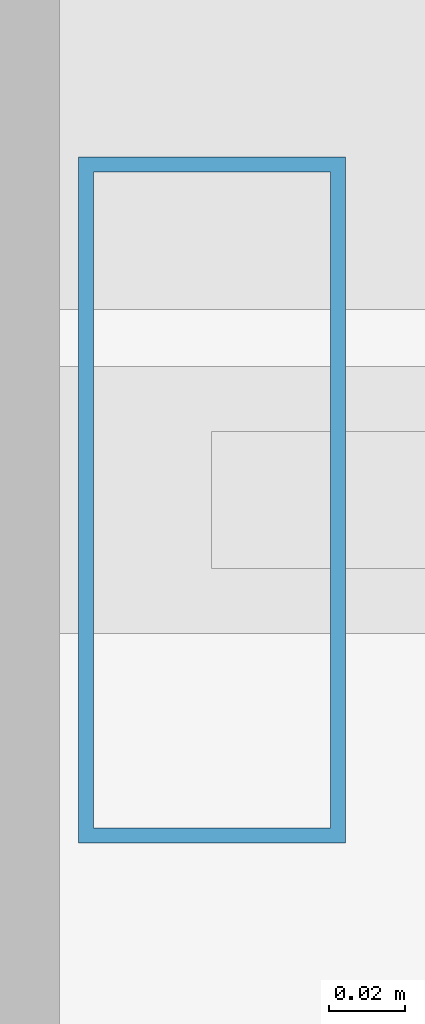
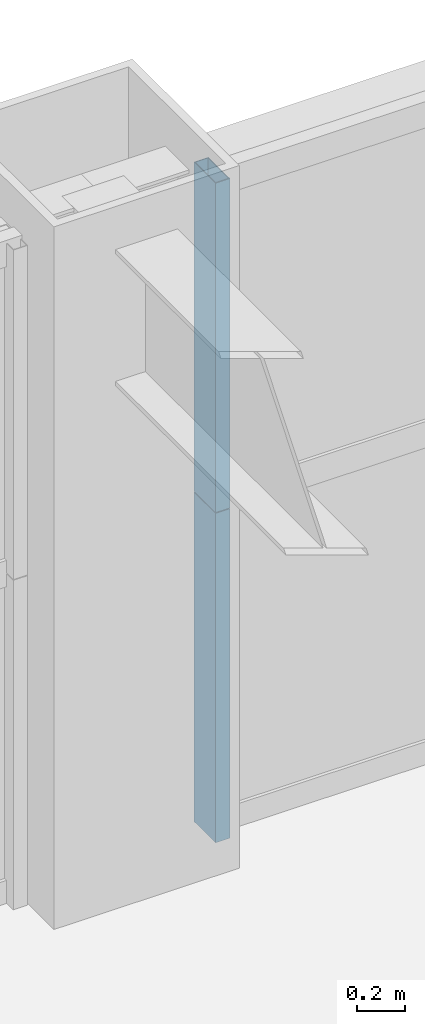
# One storey, part 30 of 43: 2 members, 1 element without a shape of its own.
"""IFC4 building model written with IfcOpenShell, lengths in metres."""

import ifcopenshell
import ifcopenshell.guid

model = None  # the IFC model being written
_history = None  # IfcOwnerHistory: only IFC2X3 demands one
_inside = {}  # id of a spatial element -> (the spatial element, [elements in it])
_under = {}  # id of a project, library or spatial element -> (it, [spatial elements below it])
_declared = {}  # id of a project -> (the project, [libraries it declares])
_typed = {}  # id of a type object -> (the type object, [elements of that type])
_made_of = {}  # id of a material, layer set ... -> (it, [elements and type objects made of it])


def new_model(schema):
    """Start an empty IFC model of exactly this schema.

    Asked for "IFC4X3", IfcOpenShell would pick the latest addendum, in which some entities
    have other attributes; the version numbers below select the first issue.
    IFC2X3 requires an IfcOwnerHistory on every rooted entity: one is made here for all.
    """
    global model, _history
    if schema == "IFC4X3":
        model = ifcopenshell.file(schema_version=(4, 3, 0, 0))
    else:
        model = ifcopenshell.file(schema=schema)
    _inside.clear()
    _under.clear()
    _declared.clear()
    _typed.clear()
    _made_of.clear()
    _history = None
    if model.schema == "IFC2X3":
        org = make("IfcOrganization", Name="unknown")
        user = make(
            "IfcPersonAndOrganization",
            ThePerson=make("IfcPerson", FamilyName="unknown"),
            TheOrganization=org,
        )
        app = make(
            "IfcApplication",
            ApplicationDeveloper=org,
            Version="unknown",
            ApplicationFullName="unknown",
            ApplicationIdentifier="unknown",
        )
        _history = make(
            "IfcOwnerHistory",
            OwningUser=user,
            OwningApplication=app,
            ChangeAction="ADDED",
            CreationDate=0,
        )
    return model


def make(cls, **values):
    """One entity of the class cls with the attributes given. An attribute that is None is left unset."""
    return model.create_entity(
        cls, **{name: value for name, value in values.items() if value is not None}
    )


def rooted(cls, **values):
    """An entity with a GlobalId (a new one), such as an element, a storey or a relation."""
    return make(cls, GlobalId=ifcopenshell.guid.new(), OwnerHistory=_history, **values)


def si_unit(unit_type, name, prefix=None):
    """IfcSIUnit, for example si_unit("LENGTHUNIT", "METRE", prefix="MILLI")."""
    return make("IfcSIUnit", UnitType=unit_type, Prefix=prefix, Name=name)


def assignment(units):
    """IfcUnitAssignment: the units of a project."""
    return None if units is None else make("IfcUnitAssignment", Units=units)


def point(xyz):
    """IfcCartesianPoint."""
    return None if xyz is None else make("IfcCartesianPoint", Coordinates=xyz)


def direction(xyz):
    """IfcDirection."""
    return None if xyz is None else make("IfcDirection", DirectionRatios=xyz)


def frame(location, z_axis=None, x_axis=None):
    """IfcAxis2Placement3D, a coordinate frame: its origin and axes. An axis left out is left unset."""
    return make(
        "IfcAxis2Placement3D",
        Location=point(location),
        Axis=direction(z_axis),
        RefDirection=direction(x_axis),
    )


def frame_2d(location, x_axis=None):
    """IfcAxis2Placement2D, a coordinate frame in the plane: its origin and x axis."""
    return make(
        "IfcAxis2Placement2D", Location=point(location), RefDirection=direction(x_axis)
    )


def origin():
    """The frame at (0, 0, 0) with its axes left unset."""
    return frame((0.0, 0.0, 0.0))


def origin_2d():
    """The frame at (0, 0) in the plane with its x axis left unset."""
    return frame_2d((0.0, 0.0))


def place(relative_to, where):
    """IfcLocalPlacement: puts the frame where relative to a parent placement (None: the world)."""
    return make(
        "IfcLocalPlacement", PlacementRelTo=relative_to, RelativePlacement=where
    )


def context(
    kind, dimensions, precision=None, world=None, true_north=None, identifier=None
):
    """IfcGeometricRepresentationContext, for example the 3D "Model" context."""
    return make(
        "IfcGeometricRepresentationContext",
        ContextIdentifier=identifier,
        ContextType=kind,
        CoordinateSpaceDimension=dimensions,
        Precision=precision,
        WorldCoordinateSystem=world,
        TrueNorth=true_north,
    )


def subcontext(parent, identifier, kind, view, scale=None):
    """IfcGeometricRepresentationSubContext, for example "Body" below "Model"."""
    return make(
        "IfcGeometricRepresentationSubContext",
        ContextIdentifier=identifier,
        ContextType=kind,
        ParentContext=parent,
        TargetScale=scale,
        TargetView=view,
    )


def project(units=None, contexts=None):
    """IfcProject with its units and contexts."""
    return rooted(
        "IfcProject",
        Name="project",
        RepresentationContexts=contexts,
        UnitsInContext=assignment(units),
    )


def spatial(cls, under=None, at=None, **own):
    """A site, building, storey or space (cls), placed at a placement, below another one or the project."""
    s = rooted(cls, ObjectPlacement=at, **own)
    if under is not None:
        _under.setdefault(under.id(), (under, []))[1].append(s)
    return s


def profile(cls, at=None, kind="AREA", **sizes):
    """A parametric profile (cls). Its sizes go by their IFC names, for example OverallWidth=200.0."""
    return make(cls, ProfileType=kind, Position=at, **sizes)


def hollow_rectangle(**sizes):
    """IfcRectangleHollowProfileDef."""
    return profile("IfcRectangleHollowProfileDef", **sizes)


def extrude(swept, where, along, depth):
    """IfcExtrudedAreaSolid: the profile swept, set in the frame where, extruded along a direction by depth."""
    return make(
        "IfcExtrudedAreaSolid",
        SweptArea=swept,
        Position=where,
        ExtrudedDirection=direction(along),
        Depth=depth,
    )


def shape(context_of_items, identifier, shape_type, items):
    """IfcShapeRepresentation: the items that make up one representation, for example the "Body"."""
    return make(
        "IfcShapeRepresentation",
        ContextOfItems=context_of_items,
        RepresentationIdentifier=identifier,
        RepresentationType=shape_type,
        Items=items,
    )


def source(mapping_origin, context_of_items, identifier, shape_type, items):
    """IfcRepresentationMap: a shape defined once, which mapped items show again and again."""
    return make(
        "IfcRepresentationMap",
        MappingOrigin=mapping_origin,
        MappedRepresentation=shape(context_of_items, identifier, shape_type, items),
    )


def transform(
    local_origin,
    x_axis=None,
    y_axis=None,
    z_axis=None,
    scale=None,
    scale2=None,
    scale3=None,
    uniform=True,
):
    """IfcCartesianTransformationOperator3D, or its non-uniform kind. x_axis, y_axis, z_axis: its Axis1, 2, 3."""
    if uniform:
        return make(
            "IfcCartesianTransformationOperator3D",
            Axis1=direction(x_axis),
            Axis2=direction(y_axis),
            LocalOrigin=point(local_origin),
            Scale=scale,
            Axis3=direction(z_axis),
        )
    return make(
        "IfcCartesianTransformationOperator3DnonUniform",
        Axis1=direction(x_axis),
        Axis2=direction(y_axis),
        LocalOrigin=point(local_origin),
        Scale=scale,
        Axis3=direction(z_axis),
        Scale2=scale2,
        Scale3=scale3,
    )


def mapped(mapping_source, mapping_target):
    """IfcMappedItem: shows the shape of a source again, moved by a transform."""
    return make(
        "IfcMappedItem", MappingSource=mapping_source, MappingTarget=mapping_target
    )


def material(Name=None, Category=None):
    """IfcMaterial."""
    return make("IfcMaterial", Name=Name, Category=Category)


def layer(
    of_material, thickness, ventilated=None, Name=None, Category=None, Priority=None
):
    """IfcMaterialLayer: one layer of a wall or slab, of a material (None: an air gap)."""
    return make(
        "IfcMaterialLayer",
        Material=of_material,
        LayerThickness=thickness,
        IsVentilated=ventilated,
        Name=Name,
        Category=Category,
        Priority=Priority,
    )


def layer_set(layers, Name=None):
    """IfcMaterialLayerSet."""
    return make("IfcMaterialLayerSet", MaterialLayers=layers, LayerSetName=Name)


def material_profile(
    of_material, cross_section, Name=None, Category=None, Priority=None
):
    """IfcMaterialProfile: a cross section and its material."""
    return make(
        "IfcMaterialProfile",
        Name=Name,
        Material=of_material,
        Profile=cross_section,
        Priority=Priority,
        Category=Category,
    )


def profile_set(profiles, Name=None, composite=None):
    """IfcMaterialProfileSet."""
    return make(
        "IfcMaterialProfileSet",
        Name=Name,
        MaterialProfiles=profiles,
        CompositeProfile=composite,
    )


def made_of(thing, what):
    """Note that an element or type object is made of a material, layer set ...; save() writes the relation."""
    if what is not None:
        _made_of.setdefault(what.id(), (what, []))[1].append(thing)
    return thing


def type_object(cls, material=None, **own):
    """A type object (cls), such as IfcWallType, which elements share."""
    return made_of(rooted(cls, **own), material)


def element(
    cls,
    number,
    at=None,
    inside=None,
    cuts=None,
    type_object=None,
    material=None,
    context=None,
    identifier="Body",
    shape_type=None,
    held_by="IfcProductDefinitionShape",
    body=None,
    shapes=None,
    **own,
):
    """One element of the class cls, such as IfcWall. Its Tag is "e" and its number.

    at: its placement. inside: the storey or other place that contains it. cuts: it is an
    opening in that element (IfcRelVoidsElement). A single representation is given by context,
    identifier, shape_type and body (its items); several are given by shapes. held_by: the class
    of the entity that holds the representations. save() writes the other relations.
    """
    e = rooted(cls, Tag="e%d" % number, ObjectPlacement=at, **own)
    if body is not None:
        shapes = [shape(context, identifier, shape_type, body)]
    if shapes is not None:
        e.Representation = make(held_by, Representations=shapes)
    if inside is not None:
        _inside.setdefault(inside.id(), (inside, []))[1].append(e)
    if cuts is not None:
        rooted(
            "IfcRelVoidsElement", RelatingBuildingElement=cuts, RelatedOpeningElement=e
        )
    if type_object is not None:
        _typed.setdefault(type_object.id(), (type_object, []))[1].append(e)
    return made_of(e, material)


def aggregate(whole, parts):
    """IfcRelAggregates: a whole, such as a stair, and the parts it consists of."""
    return rooted("IfcRelAggregates", RelatingObject=whole, RelatedObjects=parts)


def save(model, path):
    """Write the relations noted so far, then the file.

    IfcRelAggregates (storeys below a building ...), IfcRelContainedInSpatialStructure (elements
    in a storey), IfcRelDefinesByType, IfcRelAssociatesMaterial and IfcRelDeclares: one each for
    every whole, place, type object, material and project.
    """
    for whole, parts in _under.values():
        aggregate(whole, parts)
    for where, things in _inside.values():
        rooted(
            "IfcRelContainedInSpatialStructure",
            RelatedElements=things,
            RelatingStructure=where,
        )
    for kind, things in _typed.values():
        rooted("IfcRelDefinesByType", RelatedObjects=things, RelatingType=kind)
    for what, things in _made_of.values():
        rooted("IfcRelAssociatesMaterial", RelatedObjects=things, RelatingMaterial=what)
    for by, libraries in _declared.values():
        rooted("IfcRelDeclares", RelatingContext=by, RelatedDefinitions=libraries)
    model.write(path)


model = new_model("IFC4")

# Units and contexts
model_context = context("Model", 3, precision=1e-05, world=origin(), true_north=direction((0.0, 1.0)))
body_context = subcontext(model_context, "Body", "Model", "MODEL_VIEW")
ifc_project = project(units=[si_unit("LENGTHUNIT", "METRE"), si_unit("AREAUNIT", "SQUARE_METRE"), si_unit("VOLUMEUNIT", "CUBIC_METRE"), si_unit("PLANEANGLEUNIT", "RADIAN"), si_unit("MASSUNIT", "GRAM", prefix="KILO"), si_unit("THERMODYNAMICTEMPERATUREUNIT", "KELVIN"), si_unit("POWERUNIT", "WATT")], contexts=[model_context])

# Site, building, storey
site_placement = place(None, origin())
site = spatial("IfcSite", under=ifc_project, at=site_placement, CompositionType="ELEMENT")
building_placement = place(site_placement, origin())
building = spatial("IfcBuilding", under=site, at=building_placement, Name="Yuzanri Waterfront Tower", CompositionType="ELEMENT")
storey_placement = place(building_placement, frame((0.0, 0.0, 93.800048828125)))
storey = spatial("IfcBuildingStorey", under=building, at=storey_placement, Name="L24", CompositionType="ELEMENT", Elevation=93.800048828125)

# Curtain wall, members
ifc_material_1 = material(Name="Anodized Architectural Bronze", Category="metal")
ifc_layer = layer(ifc_material_1, 0.159912109375)
ifc_layer_set = layer_set([ifc_layer], Name="Anodized Architectural Bronze")
curtain_wall_type = type_object("IfcCurtainWallType", Name="Anodized Bronze Hotel Upper-Tier Solar-Control Unitized Curtain Wall 7800", PredefinedType="NOTDEFINED", material=ifc_layer_set)
curtain_wall_placement = place(storey_placement, origin())
curtain_wall = element("IfcCurtainWall", 1, at=curtain_wall_placement, inside=storey, type_object=curtain_wall_type, Name="L24 Curtain Wall CW-L24-NR", PredefinedType="NOTDEFINED")
ifc_material_2 = material(Name="Anodized Architectural Bronze", Category="metal")
ifc_material_profile = material_profile(ifc_material_2, hollow_rectangle(XDim=0.070068359375, YDim=0.179931640625, WallThickness=0.00390625, at=origin_2d()), Name="CWM 70x180")
ifc_profile_set = profile_set([ifc_material_profile], Name="Anodized Architectural Bronze")
member_type = type_object("IfcMemberType", Name="Anodized Bronze Standard Curtain-Wall Mullion 70x180", PredefinedType="MULLION", material=ifc_profile_set)
shared_shape = source(origin(), body_context, "Body", "SweptSolid", [
    extrude(hollow_rectangle(XDim=0.070068359375, YDim=0.179931640625, WallThickness=0.00390625, at=origin_2d()), origin(), (0.0, 0.0, 1.0), 1.68798828125),
])
member_1_placement = place(storey_placement, frame((37.489990234375, 49.25, 0.0), z_axis=(0.0, 0.0, 1.0), x_axis=(1.0, 0.0, 0.0)))
member_1 = element("IfcMember", 2, at=member_1_placement, type_object=member_type, Name="CW-L24-NR Lower Mullion 00", PredefinedType="MULLION", context=body_context, shape_type="MappedRepresentation", body=[
    mapped(shared_shape, transform((0.0, 0.0, 0.0), scale=1.0)),
])
member_2_placement = place(storey_placement, frame((37.489990234375, 49.25, 1.69189453125), z_axis=(0.0, 0.0, 1.0), x_axis=(1.0, 0.0, 0.0)))
member_2 = element("IfcMember", 3, at=member_2_placement, type_object=member_type, Name="CW-L24-NR Upper Mullion 00", PredefinedType="MULLION", context=body_context, shape_type="MappedRepresentation", body=[
    mapped(shared_shape, transform((0.0, 0.0, 0.0), scale=1.0)),
])
aggregate(curtain_wall, [member_1, member_2])

save(model, "model.ifc")
